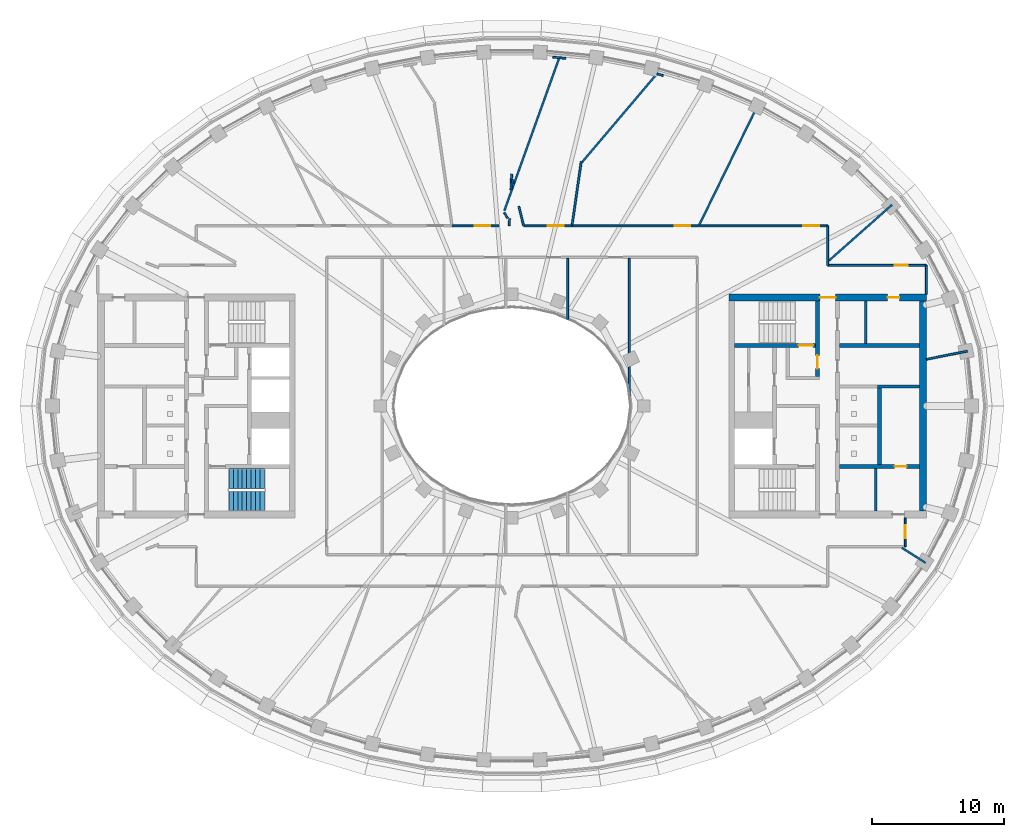
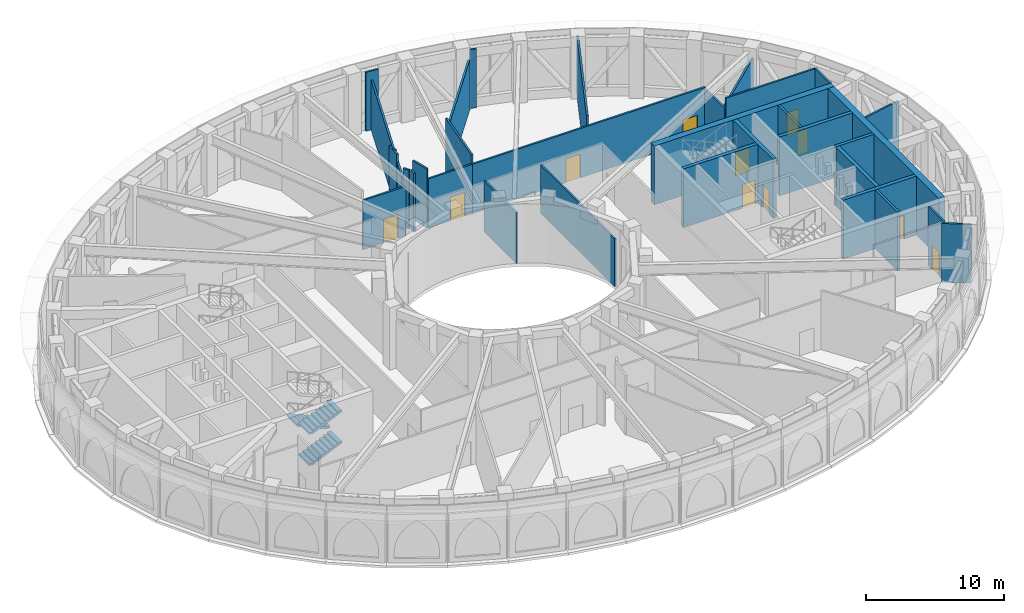
# One storey, part 8 of 23: 33 walls, 11 doors, 3 stair flights, 11 openings, 1 element without a shape of its own.
"""IFC4 building model written with IfcOpenShell, lengths in metres."""

from ifc_helpers import new_model, si_unit, direction, frame, frame_2d, origin, place, context, subcontext, project, spatial, polyline, rectangle, outline, extrude, material, layer, layer_set, type_object, element, fill, aggregate, save


model = new_model("IFC4")

# Units and contexts
model_context = context("Model", 3, precision=1e-05, world=origin(), true_north=direction((0.0, 1.0)))
body_context = subcontext(model_context, "Body", "Model", "MODEL_VIEW")
ifc_project = project(units=[si_unit("LENGTHUNIT", "METRE"), si_unit("AREAUNIT", "SQUARE_METRE"), si_unit("VOLUMEUNIT", "CUBIC_METRE"), si_unit("PLANEANGLEUNIT", "RADIAN"), si_unit("MASSUNIT", "GRAM", prefix="KILO")], contexts=[model_context])

# Site, building, storey
site_placement = place(None, origin())
site = spatial("IfcSite", under=ifc_project, at=site_placement, CompositionType="ELEMENT")
building_placement = place(site_placement, origin())
building = spatial("IfcBuilding", under=site, at=building_placement, Name="Noorbagh Ring Tower", CompositionType="ELEMENT")
storey_placement = place(building_placement, frame((0.0, 0.0, 285.5)))
storey = spatial("IfcBuildingStorey", under=building, at=storey_placement, Name="L61", CompositionType="ELEMENT", Elevation=285.5)

# Wall, opening, door
ifc_material_1 = material(Name="Gypsum board on steel studs", Category="steel")
ifc_layer_1 = layer(ifc_material_1, 0.14990234375)
ifc_layer_set_1 = layer_set([ifc_layer_1], Name="Gypsum board on steel studs")
wall_type_1 = type_object("IfcWallType", Name="COMPARTMENT PARTITION 150 EI 60", PredefinedType="PARTITIONING", material=ifc_layer_set_1)
wall_1_placement = place(storey_placement, frame((-4.56005859375, 13.699951171875, 0.0), z_axis=(0.0, 0.0, 1.0), x_axis=(1.0, 0.0, 0.0)))
wall_1 = element("IfcWall", 1, at=wall_1_placement, inside=storey, type_object=wall_type_1, Name="L61/wall/P25", PredefinedType="PARTITIONING", context=body_context, shape_type="SweptSolid", body=[
    extrude(rectangle(XDim=3.566162109375, YDim=0.14990234375, at=frame_2d((1.783203125, 0.0))), origin(), (0.0, 0.0, 1.0), 4.35009765625),
])
opening_1_placement = place(wall_1_placement, frame((1.716064453125, 0.0, 0.0)))
opening_1 = element("IfcOpeningElement", 2, at=opening_1_placement, cuts=wall_1, Name="Opening D7", PredefinedType="OPENING", context=body_context, shape_type="SweptSolid", body=[
    extrude(rectangle(XDim=1.199951171875, YDim=2.10009765625, at=frame_2d((0.60009765625, 1.050048828125))), frame((0.0, 0.0849609375, 0.0), z_axis=(0.0, -1.0, 0.0), x_axis=(1.0, 0.0, 0.0)), (0.0, 0.0, 1.0), 0.169921875),
])
ifc_material_2 = material(Name="Timber, painted", Category="wood")
door_type_1 = type_object("IfcDoorType", Name="DOOR 1200 X 2100 FD60", OperationType="SINGLE_SWING_LEFT", PredefinedType="DOOR", material=ifc_material_2)
door_1_placement = place(opening_1_placement, origin())
door_1 = element("IfcDoor", 3, at=door_1_placement, inside=storey, type_object=door_type_1, Name="L61-D09", OperationType="SINGLE_SWING_LEFT", OverallHeight=2.10009765625, OverallWidth=1.199951171875, PredefinedType="DOOR", context=body_context, shape_type="SweptSolid", body=[
    extrude(rectangle(XDim=1.199951171875, YDim=2.10009765625, at=frame_2d((0.60009765625, 1.050048828125))), frame((0.0, 0.02490234375, 0.0), z_axis=(0.0, -1.0, 0.0), x_axis=(1.0, 0.0, 0.0)), (0.0, 0.0, 1.0), 0.050048828125),
])
fill(opening_1, door_1)

# Walls
wall_2_placement = place(storey_placement, frame((-0.5810546875, 14.847900390625, 0.0), z_axis=(0.0, 0.0, 1.0), x_axis=(0.337959757209, 0.941160561492, 0.0)))
element("IfcWall", 4, at=wall_2_placement, inside=storey, type_object=wall_type_1, Name="L61/wall/P27", PredefinedType="PARTITIONING", context=body_context, shape_type="SweptSolid", body=[
    extrude(rectangle(XDim=12.257568359375, YDim=0.14990234375, at=frame_2d((6.12890625, 0.0))), origin(), (0.0, 0.0, 1.0), 4.39990234375),
])
wall_3_placement = place(storey_placement, frame((-0.208984375, 13.716064453125, 0.0), z_axis=(0.0, 0.0, 1.0), x_axis=(0.045320181561, 0.998972512707, 0.0)))
element("IfcWall", 5, at=wall_3_placement, inside=storey, type_object=wall_type_1, Name="L61/wall/P30", PredefinedType="PARTITIONING", context=body_context, shape_type="SweptSolid", body=[
    extrude(rectangle(XDim=0.50634765625, YDim=0.14990234375, at=frame_2d((0.253173828125, 0.0))), origin(), (0.0, 0.0, 1.0), 5.199951171875),
])
wall_4_placement = place(storey_placement, frame((-0.0810546875, 16.427001953125, 0.0), z_axis=(0.0, 0.0, 1.0), x_axis=(0.047967320325, 0.998848905581, 0.0)))
element("IfcWall", 6, at=wall_4_placement, inside=storey, type_object=wall_type_1, Name="L61/wall/P31", PredefinedType="PARTITIONING", context=body_context, shape_type="SweptSolid", body=[
    extrude(rectangle(XDim=1.21142578125, YDim=0.14990234375, at=frame_2d((0.605712890625, 0.0))), origin(), (0.0, 0.0, 1.0), 5.199951171875),
])
wall_5_placement = place(storey_placement, frame((0.01904296875, 17.215087890625, 0.0), z_axis=(0.0, 0.0, 1.0), x_axis=(0.242734623519, -0.970092728838, 0.0)))
element("IfcWall", 7, at=wall_5_placement, inside=storey, type_object=wall_type_1, Name="L61/wall/P32", PredefinedType="PARTITIONING", context=body_context, shape_type="SweptSolid", body=[
    extrude(rectangle(XDim=0.28857421875, YDim=0.14990234375, at=frame_2d((0.144287109375, 0.0))), origin(), (0.0, 0.0, 1.0), 5.199951171875),
])
wall_6_placement = place(storey_placement, frame((0.52490234375, 15.1689453125, 0.0), z_axis=(0.0, 0.0, 1.0), x_axis=(0.239695194895, -0.970848192842, 0.0)))
element("IfcWall", 8, at=wall_6_placement, inside=storey, type_object=wall_type_1, Name="L61/wall/P36", PredefinedType="PARTITIONING", context=body_context, shape_type="SweptSolid", body=[
    extrude(rectangle(XDim=1.476806640625, YDim=0.14990234375, at=frame_2d((0.73828125, 0.0))), origin(), (0.0, 0.0, 1.0), 5.199951171875),
])

# Wall, opening, door
wall_7_placement = place(storey_placement, frame((0.887939453125, 13.699951171875, 0.0), z_axis=(0.0, 0.0, 1.0), x_axis=(1.0, 0.0, 0.0)))
wall_7 = element("IfcWall", 9, at=wall_7_placement, inside=storey, type_object=wall_type_1, Name="L61/wall/P38", PredefinedType="PARTITIONING", context=body_context, shape_type="SweptSolid", body=[
    extrude(rectangle(XDim=3.672119140625, YDim=0.14990234375, at=frame_2d((1.8359375, 0.0))), origin(), (0.0, 0.0, 1.0), 4.35009765625),
])
opening_2_placement = place(wall_7_placement, frame((1.842041015625, 0.0, 0.0)))
opening_2 = element("IfcOpeningElement", 10, at=opening_2_placement, cuts=wall_7, Name="Opening D7", PredefinedType="OPENING", context=body_context, shape_type="SweptSolid", body=[
    extrude(rectangle(XDim=1.199951171875, YDim=2.10009765625, at=frame_2d((0.60009765625, 1.050048828125))), frame((0.0, 0.0849609375, 0.0), z_axis=(0.0, -1.0, 0.0), x_axis=(1.0, 0.0, 0.0)), (0.0, 0.0, 1.0), 0.169921875),
])
door_2_placement = place(opening_2_placement, origin())
door_2 = element("IfcDoor", 11, at=door_2_placement, inside=storey, type_object=door_type_1, Name="L61-D11", OperationType="SINGLE_SWING_LEFT", OverallHeight=2.10009765625, OverallWidth=1.199951171875, PredefinedType="DOOR", context=body_context, shape_type="SweptSolid", body=[
    extrude(rectangle(XDim=1.199951171875, YDim=2.10009765625, at=frame_2d((0.60009765625, 1.050048828125))), frame((0.0, 0.02490234375, 0.0), z_axis=(0.0, -1.0, 0.0), x_axis=(1.0, 0.0, 0.0)), (0.0, 0.0, 1.0), 0.050048828125),
])
fill(opening_2, door_2)

# Walls
wall_8_placement = place(storey_placement, frame((4.22998046875, 6.592041015625, 0.0), z_axis=(0.0, 0.0, 1.0), x_axis=(0.0, 1.0, 0.0)))
element("IfcWall", 12, at=wall_8_placement, inside=storey, type_object=wall_type_1, Name="L61/wall/P41", PredefinedType="PARTITIONING", context=body_context, shape_type="SweptSolid", body=[
    extrude(rectangle(XDim=4.633056640625, YDim=0.14990234375, at=frame_2d((2.31640625, 0.0))), origin(), (0.0, 0.0, 1.0), 4.5),
])
wall_9_placement = place(storey_placement, frame((4.56005859375, 13.699951171875, 0.0), z_axis=(0.0, 0.0, 1.0), x_axis=(0.142946212099, 0.989730458482, 0.0)))
element("IfcWall", 13, at=wall_9_placement, inside=storey, type_object=wall_type_1, Name="L61/wall/P42", PredefinedType="PARTITIONING", context=body_context, shape_type="SweptSolid", body=[
    extrude(rectangle(XDim=4.9306640625, YDim=0.14990234375, at=frame_2d((2.46533203125, 0.0))), origin(), (0.0, 0.0, 1.0), 5.199951171875),
])

# Wall, openings, doors
wall_10_placement = place(storey_placement, frame((4.580078125, 13.699951171875, 0.0), z_axis=(0.0, 0.0, 1.0), x_axis=(1.0, 0.0, 0.0)))
wall_10 = element("IfcWall", 14, at=wall_10_placement, inside=storey, type_object=wall_type_1, Name="L61/wall/P43", PredefinedType="PARTITIONING", context=body_context, shape_type="SweptSolid", body=[
    extrude(rectangle(XDim=19.419921875, YDim=0.14990234375, at=frame_2d((9.7099609375, 0.0))), origin(), (0.0, 0.0, 1.0), 4.35009765625),
])
opening_3_placement = place(wall_10_placement, frame((7.782958984375, 0.0, 0.0)))
opening_3 = element("IfcOpeningElement", 15, at=opening_3_placement, cuts=wall_10, Name="Opening D7", PredefinedType="OPENING", context=body_context, shape_type="SweptSolid", body=[
    extrude(rectangle(XDim=1.199951171875, YDim=2.10009765625, at=frame_2d((0.60009765625, 1.050048828125))), frame((0.0, 0.0849609375, 0.0), z_axis=(0.0, -1.0, 0.0), x_axis=(1.0, 0.0, 0.0)), (0.0, 0.0, 1.0), 0.169921875),
])
opening_4_placement = place(wall_10_placement, frame((17.570068359375, 0.0, 0.0)))
opening_4 = element("IfcOpeningElement", 16, at=opening_4_placement, cuts=wall_10, Name="Opening D7", PredefinedType="OPENING", context=body_context, shape_type="SweptSolid", body=[
    extrude(rectangle(XDim=1.199951171875, YDim=2.10009765625, at=frame_2d((0.60009765625, 1.050048828125))), frame((0.0, 0.0849609375, 0.0), z_axis=(0.0, -1.0, 0.0), x_axis=(1.0, 0.0, 0.0)), (0.0, 0.0, 1.0), 0.169921875),
])
door_3_placement = place(opening_3_placement, origin())
door_3 = element("IfcDoor", 17, at=door_3_placement, inside=storey, type_object=door_type_1, Name="L61-D13", OperationType="SINGLE_SWING_LEFT", OverallHeight=2.10009765625, OverallWidth=1.199951171875, PredefinedType="DOOR", context=body_context, shape_type="SweptSolid", body=[
    extrude(rectangle(XDim=1.199951171875, YDim=2.10009765625, at=frame_2d((0.60009765625, 1.050048828125))), frame((0.0, 0.02490234375, 0.0), z_axis=(0.0, -1.0, 0.0), x_axis=(1.0, 0.0, 0.0)), (0.0, 0.0, 1.0), 0.050048828125),
])
fill(opening_3, door_3)
door_4_placement = place(opening_4_placement, origin())
door_4 = element("IfcDoor", 18, at=door_4_placement, inside=storey, type_object=door_type_1, Name="L61-D15", OperationType="SINGLE_SWING_LEFT", OverallHeight=2.10009765625, OverallWidth=1.199951171875, PredefinedType="DOOR", context=body_context, shape_type="SweptSolid", body=[
    extrude(rectangle(XDim=1.199951171875, YDim=2.10009765625, at=frame_2d((0.60009765625, 1.050048828125))), frame((0.0, 0.02490234375, 0.0), z_axis=(0.0, -1.0, 0.0), x_axis=(1.0, 0.0, 0.0)), (0.0, 0.0, 1.0), 0.050048828125),
])
fill(opening_4, door_4)

# Walls
wall_11_placement = place(storey_placement, frame((5.3359375, 18.548095703125, 0.0), z_axis=(0.0, 0.0, 1.0), x_axis=(0.646514481534, 0.762901713962, 0.0)))
element("IfcWall", 19, at=wall_11_placement, inside=storey, type_object=wall_type_1, Name="L61/wall/P44", PredefinedType="PARTITIONING", context=body_context, shape_type="SweptSolid", body=[
    extrude(rectangle(XDim=8.68017578125, YDim=0.14990234375, at=frame_2d((4.340087890625, 0.0))), origin(), (0.0, 0.0, 1.0), 4.39990234375),
])
wall_12_placement = place(storey_placement, frame((8.929931640625, 0.51806640625, 0.0), z_axis=(0.0, 0.0, 1.0), x_axis=(0.0, 1.0, 0.0)))
element("IfcWall", 20, at=wall_12_placement, inside=storey, type_object=wall_type_1, Name="L61/wall/P48", PredefinedType="PARTITIONING", context=body_context, shape_type="SweptSolid", body=[
    extrude(rectangle(XDim=10.70703125, YDim=0.14990234375, at=frame_2d((5.353515625, 0.0))), origin(), (0.0, 0.0, 1.0), 4.25),
])
wall_13_placement = place(storey_placement, frame((14.240966796875, 13.77490234375, 0.0), z_axis=(0.0, 0.0, 1.0), x_axis=(0.439213157978, 0.898382881548, 0.0)))
element("IfcWall", 21, at=wall_13_placement, inside=storey, type_object=wall_type_1, Name="L61/wall/P50", PredefinedType="PARTITIONING", context=body_context, shape_type="SweptSolid", body=[
    extrude(rectangle(XDim=10.12939453125, YDim=0.14990234375, at=frame_2d((5.064697265625, 0.0))), origin(), (0.0, 0.0, 1.0), 5.199951171875),
])
wall_14_placement = place(storey_placement, frame((24.0, 10.699951171875, 0.0), z_axis=(0.0, 0.0, 1.0), x_axis=(0.0, 1.0, 0.0)))
element("IfcWall", 22, at=wall_14_placement, inside=storey, type_object=wall_type_1, Name="L61/wall/P54", PredefinedType="PARTITIONING", context=body_context, shape_type="SweptSolid", body=[
    extrude(rectangle(XDim=3.0, YDim=0.14990234375, at=frame_2d((1.5, 0.0))), origin(), (0.0, 0.0, 1.0), 4.25),
])

# Wall, opening, door
wall_15_placement = place(storey_placement, frame((24.0, 10.699951171875, 0.0), z_axis=(0.0, 0.0, 1.0), x_axis=(1.0, 0.0, 0.0)))
wall_15 = element("IfcWall", 23, at=wall_15_placement, inside=storey, type_object=wall_type_1, Name="L61/wall/P55", PredefinedType="PARTITIONING", context=body_context, shape_type="SweptSolid", body=[
    extrude(rectangle(XDim=7.5, YDim=0.14990234375, at=frame_2d((3.75, 0.0))), origin(), (0.0, 0.0, 1.0), 5.199951171875),
])
opening_5_placement = place(wall_15_placement, frame((5.10009765625, 0.0, 0.0)))
opening_5 = element("IfcOpeningElement", 24, at=opening_5_placement, cuts=wall_15, Name="Opening D6", PredefinedType="OPENING", context=body_context, shape_type="SweptSolid", body=[
    extrude(rectangle(XDim=1.0, YDim=2.10009765625, at=frame_2d((0.5, 1.050048828125))), frame((0.0, 0.0849609375, 0.0), z_axis=(0.0, -1.0, 0.0), x_axis=(1.0, 0.0, 0.0)), (0.0, 0.0, 1.0), 0.169921875),
])
ifc_material_3 = material(Name="Timber, painted", Category="wood")
door_type_2 = type_object("IfcDoorType", Name="DOOR 1000 X 2100 FD60", OperationType="SINGLE_SWING_LEFT", PredefinedType="DOOR", material=ifc_material_3)
door_5_placement = place(opening_5_placement, origin())
door_5 = element("IfcDoor", 25, at=door_5_placement, inside=storey, type_object=door_type_2, Name="L61-D17", OperationType="SINGLE_SWING_LEFT", OverallHeight=2.10009765625, OverallWidth=1.0, PredefinedType="DOOR", context=body_context, shape_type="SweptSolid", body=[
    extrude(rectangle(XDim=1.0, YDim=2.10009765625, at=frame_2d((0.5, 1.050048828125))), frame((0.0, 0.02490234375, 0.0), z_axis=(0.0, -1.0, 0.0), x_axis=(1.0, 0.0, 0.0)), (0.0, 0.0, 1.0), 0.050048828125),
])
fill(opening_5, door_5)

# Walls
wall_16_placement = place(storey_placement, frame((24.074951171875, 11.033935546875, 0.0), z_axis=(0.0, 0.0, 1.0), x_axis=(0.748919053688, 0.662661490524, 0.0)))
element("IfcWall", 26, at=wall_16_placement, inside=storey, type_object=wall_type_1, Name="L61/wall/P56", PredefinedType="PARTITIONING", context=body_context, shape_type="SweptSolid", body=[
    extrude(rectangle(XDim=6.433349609375, YDim=0.14990234375, at=frame_2d((3.216796875, 0.0))), origin(), (0.0, 0.0, 1.0), 4.25),
])
wall_17_placement = place(storey_placement, frame((29.636962890625, -10.777099609375, 0.0), z_axis=(0.0, 0.0, 1.0), x_axis=(0.844747041197, -0.535165802709, 0.0)))
element("IfcWall", 27, at=wall_17_placement, inside=storey, type_object=wall_type_1, Name="L61/wall/P57", PredefinedType="PARTITIONING", context=body_context, shape_type="SweptSolid", body=[
    extrude(rectangle(XDim=2.14501953125, YDim=0.14990234375, at=frame_2d((1.072509765625, 0.0))), origin(), (0.0, 0.0, 1.0), 5.199951171875),
])

# Wall, opening, door
wall_18_placement = place(storey_placement, frame((29.89990234375, -10.699951171875, 0.0), z_axis=(0.0, 0.0, 1.0), x_axis=(0.0, 1.0, 0.0)))
wall_18 = element("IfcWall", 28, at=wall_18_placement, inside=storey, type_object=wall_type_1, Name="L61/wall/P58", PredefinedType="PARTITIONING", context=body_context, shape_type="SweptSolid", body=[
    extrude(rectangle(XDim=2.199951171875, YDim=0.14990234375, at=frame_2d((1.10009765625, 0.0))), origin(), (0.0, 0.0, 1.0), 5.199951171875),
])
opening_6_placement = place(wall_18_placement, frame((0.64990234375, 0.0, 0.0)))
opening_6 = element("IfcOpeningElement", 29, at=opening_6_placement, cuts=wall_18, Name="Opening D6", PredefinedType="OPENING", context=body_context, shape_type="SweptSolid", body=[
    extrude(rectangle(XDim=1.0, YDim=2.10009765625, at=frame_2d((0.5, 1.050048828125))), frame((0.0, 0.0849609375, 0.0), z_axis=(0.0, -1.0, 0.0), x_axis=(1.0, 0.0, 0.0)), (0.0, 0.0, 1.0), 0.169921875),
])
door_6_placement = place(opening_6_placement, origin())
door_6 = element("IfcDoor", 30, at=door_6_placement, inside=storey, type_object=door_type_2, Name="L61-D18", OperationType="SINGLE_SWING_RIGHT", OverallHeight=2.10009765625, OverallWidth=1.0, PredefinedType="DOOR", context=body_context, shape_type="SweptSolid", body=[
    extrude(rectangle(XDim=1.0, YDim=2.10009765625, at=frame_2d((0.5, 1.050048828125))), frame((0.0, 0.02490234375, 0.0), z_axis=(0.0, -1.0, 0.0), x_axis=(1.0, 0.0, 0.0)), (0.0, 0.0, 1.0), 0.050048828125),
])
fill(opening_6, door_6)

# Walls
wall_19_placement = place(storey_placement, frame((31.5, 3.5419921875, 0.0), z_axis=(0.0, 0.0, 1.0), x_axis=(0.98034430806, 0.197294291997, 0.0)))
element("IfcWall", 31, at=wall_19_placement, inside=storey, type_object=wall_type_1, Name="L61/wall/P59", PredefinedType="PARTITIONING", context=body_context, shape_type="SweptSolid", body=[
    extrude(rectangle(XDim=3.187744140625, YDim=0.14990234375, at=frame_2d((1.59375, 0.0))), origin(), (0.0, 0.0, 1.0), 5.199951171875),
])
wall_20_placement = place(storey_placement, frame((31.5, 8.5, 0.0), z_axis=(0.0, 0.0, 1.0), x_axis=(0.0, 1.0, 0.0)))
element("IfcWall", 32, at=wall_20_placement, inside=storey, type_object=wall_type_1, Name="L61/wall/P60", PredefinedType="PARTITIONING", context=body_context, shape_type="SweptSolid", body=[
    extrude(rectangle(XDim=2.199951171875, YDim=0.14990234375, at=frame_2d((1.10009765625, 0.0))), origin(), (0.0, 0.0, 1.0), 5.199951171875),
])
wall_21_placement = place(storey_placement, frame((-0.587890625, 14.697998046875, 0.0), z_axis=(0.0, 0.0, 1.0), x_axis=(0.537099689422, -0.843518774908, 0.0)))
element("IfcWall", 33, at=wall_21_placement, inside=storey, type_object=wall_type_1, Name="L61/wall/P61", PredefinedType="PARTITIONING", context=body_context, shape_type="SweptSolid", body=[
    extrude(rectangle(XDim=0.4931640625, YDim=0.14990234375, at=frame_2d((0.24658203125, 0.0))), origin(), (0.0, 0.0, 1.0), 5.199951171875),
])
wall_22_placement = place(storey_placement, frame((4.093017578125, 26.4306640625, 0.0), z_axis=(0.0, 0.0, 1.0), x_axis=(-0.995481198714, 0.094958849019, 0.0)))
element("IfcWall", 34, at=wall_22_placement, inside=storey, type_object=wall_type_1, Name="L61/wall/P66", PredefinedType="PARTITIONING", context=body_context, shape_type="SweptSolid", body=[
    extrude(rectangle(XDim=1.000244140625, YDim=0.14990234375, at=frame_2d((0.5, 0.0))), origin(), (0.0, 0.0, 1.0), 5.199951171875),
])
wall_23_placement = place(storey_placement, frame((11.5009765625, 25.114013671875, 0.0), z_axis=(0.0, 0.0, 1.0), x_axis=(-0.957586840279, 0.288144830467, 0.0)))
element("IfcWall", 35, at=wall_23_placement, inside=storey, type_object=wall_type_1, Name="L61/wall/P69", PredefinedType="PARTITIONING", context=body_context, shape_type="SweptSolid", body=[
    extrude(rectangle(XDim=0.505859375, YDim=0.14990234375, at=frame_2d((0.2529296875, 0.0))), origin(), (0.0, 0.0, 1.0), 5.199951171875),
])
ifc_material_4 = material(Name="Gypsum board on steel studs", Category="steel")
ifc_layer_2 = layer(ifc_material_4, 0.199951171875)
ifc_layer_set_2 = layer_set([ifc_layer_2], Name="Gypsum board on steel studs")
wall_type_2 = type_object("IfcWallType", Name="CORE-PARTITION-200", PredefinedType="PARTITIONING", material=ifc_layer_set_2)
for number, where, z_axis, x_axis, name in (
    (36, (26.89990234375, 4.75, 0.0), (0.0, 0.0, 1.0), (0.0, 1.0, 0.0), "Core partition E"),
    (37, (27.64990234375, -8.0, 0.0), (0.0, 0.0, 1.0), (0.0, 1.0, 0.0), "Core partition E"),
):
    element("IfcWall", number, at=place(storey_placement, frame(where, z_axis=z_axis, x_axis=x_axis)), inside=storey, type_object=wall_type_2, Name=name, PredefinedType="PARTITIONING", context=body_context, shape_type="SweptSolid", body=[
        extrude(rectangle(XDim=3.25, YDim=0.199951171875, at=frame_2d((1.625, 0.0))), origin(), (0.0, 0.0, 1.0), 5.199951171875),
    ])
ifc_material_5 = material(Name="Concrete C50/60", Category="concrete")
ifc_layer_3 = layer(ifc_material_5, 0.25)
ifc_layer_set_3 = layer_set([ifc_layer_3], Name="Concrete C50/60")
wall_type_3 = type_object("IfcWallType", Name="CORE-WALL-250-C50-60-EI120", PredefinedType="SHEAR", material=ifc_layer_set_3)
wall_24_placement = place(storey_placement, frame((27.800048828125, 1.47509765625, 0.0), z_axis=(0.0, 0.0, 1.0), x_axis=(1.0, 0.0, 0.0)))
element("IfcWall", 38, at=wall_24_placement, inside=storey, type_object=wall_type_3, Name="Core wall E", PredefinedType="SHEAR", context=body_context, shape_type="SweptSolid", body=[
    extrude(rectangle(XDim=3.199951171875, YDim=0.25, at=frame_2d((1.60009765625, 0.0))), origin(), (0.0, 0.0, 1.0), 5.199951171875),
])
ifc_material_6 = material(Name="Concrete C50/60", Category="concrete")
ifc_layer_4 = layer(ifc_material_6, 0.300048828125)
ifc_layer_set_4 = layer_set([ifc_layer_4], Name="Concrete C50/60")
wall_type_4 = type_object("IfcWallType", Name="CORE-WALL-300-C50-60-EI120", PredefinedType="SHEAR", material=ifc_layer_set_4)
wall_25_placement = place(storey_placement, frame((27.949951171875, -4.449951171875, 0.0), z_axis=(0.0, 0.0, 1.0), x_axis=(0.0, 1.0, 0.0)))
element("IfcWall", 39, at=wall_25_placement, inside=storey, type_object=wall_type_4, Name="Core wall E", PredefinedType="SHEAR", context=body_context, shape_type="SweptSolid", body=[
    extrude(rectangle(XDim=5.800048828125, YDim=0.300048828125, at=frame_2d((2.89990234375, 0.0))), origin(), (0.0, 0.0, 1.0), 5.199951171875),
])
ifc_material_7 = material(Name="Concrete C50/60", Category="concrete")
ifc_layer_5 = layer(ifc_material_7, 0.300048828125)
ifc_layer_set_5 = layer_set([ifc_layer_5], Name="Concrete C50/60")
wall_type_5 = type_object("IfcWallType", Name="CORE-WALL-300-C50-60-EI240", PredefinedType="SHEAR", material=ifc_layer_set_5)
wall_26_placement = place(storey_placement, frame((24.89990234375, 4.60009765625, 0.0), z_axis=(0.0, 0.0, 1.0), x_axis=(1.0, 0.0, 0.0)))
element("IfcWall", 40, at=wall_26_placement, inside=storey, type_object=wall_type_5, Name="Core wall E", PredefinedType="SHEAR", context=body_context, shape_type="SweptSolid", body=[
    extrude(rectangle(XDim=6.10009765625, YDim=0.300048828125, at=frame_2d((3.050048828125, 0.0))), origin(), (0.0, 0.0, 1.0), 5.199951171875),
])

# Wall, opening, door
wall_27_placement = place(storey_placement, frame((24.89990234375, -4.60009765625, 0.0), z_axis=(0.0, 0.0, 1.0), x_axis=(1.0, 0.0, 0.0)))
wall_27 = element("IfcWall", 41, at=wall_27_placement, inside=storey, type_object=wall_type_5, Name="Core wall E", PredefinedType="SHEAR", context=body_context, shape_type="SweptSolid", body=[
    extrude(rectangle(XDim=6.10009765625, YDim=0.300048828125, at=frame_2d((3.050048828125, 0.0))), origin(), (0.0, 0.0, 1.0), 5.199951171875),
])
opening_7_placement = place(wall_27_placement, frame((4.199951171875, 0.0, 0.0)))
opening_7 = element("IfcOpeningElement", 42, at=opening_7_placement, cuts=wall_27, Name="Opening L61-CE17", PredefinedType="OPENING", context=body_context, shape_type="SweptSolid", body=[
    extrude(rectangle(XDim=0.89990234375, YDim=2.10009765625, at=frame_2d((0.449951171875, 1.050048828125))), frame((0.0, 0.16015625, 0.0), z_axis=(0.0, -1.0, 0.0), x_axis=(1.0, 0.0, 0.0)), (0.0, 0.0, 1.0), 0.320068359375),
])
ifc_material_8 = material(Name="Steel door leaf", Category="steel")
door_type_3 = type_object("IfcDoorType", Name="CORE-DOOR-DROOM", OperationType="SINGLE_SWING_LEFT", PredefinedType="DOOR", material=ifc_material_8)
door_7_placement = place(opening_7_placement, origin())
door_7 = element("IfcDoor", 43, at=door_7_placement, inside=storey, type_object=door_type_3, Name="Core room door L61-CE17", OperationType="SINGLE_SWING_LEFT", OverallHeight=2.10009765625, OverallWidth=0.89990234375, PredefinedType="DOOR", context=body_context, shape_type="SweptSolid", body=[
    extrude(rectangle(XDim=0.89990234375, YDim=2.10009765625, at=frame_2d((0.449951171875, 1.050048828125))), frame((0.0, 0.02490234375, 0.0), z_axis=(0.0, -1.0, 0.0), x_axis=(1.0, 0.0, 0.0)), (0.0, 0.0, 1.0), 0.050048828125),
])
fill(opening_7, door_7)

wall_28_placement = place(storey_placement, frame((23.22998046875, 2.25, 0.0), z_axis=(0.0, 0.0, 1.0), x_axis=(0.0, 1.0, 0.0)))
wall_28 = element("IfcWall", 44, at=wall_28_placement, inside=storey, type_object=wall_type_5, Name="Core wall E", PredefinedType="SHEAR", context=body_context, shape_type="SweptSolid", body=[
    extrude(rectangle(XDim=5.75, YDim=0.300048828125, at=frame_2d((2.875, 0.0))), origin(), (0.0, 0.0, 1.0), 5.199951171875),
])
opening_8_placement = place(wall_28_placement, frame((0.60009765625, 0.0, 0.0)))
opening_8 = element("IfcOpeningElement", 45, at=opening_8_placement, cuts=wall_28, Name="Opening L61-CE05", PredefinedType="OPENING", context=body_context, shape_type="SweptSolid", body=[
    extrude(rectangle(XDim=1.0, YDim=2.10009765625, at=frame_2d((0.5, 1.050048828125))), frame((0.0, 0.16015625, 0.0), z_axis=(0.0, -1.0, 0.0), x_axis=(1.0, 0.0, 0.0)), (0.0, 0.0, 1.0), 0.320068359375),
])
ifc_material_9 = material(Name="Steel door leaf", Category="steel")
door_type_4 = type_object("IfcDoorType", Name="CORE-DOOR-DVEST", OperationType="SINGLE_SWING_LEFT", PredefinedType="DOOR", material=ifc_material_9)
door_8_placement = place(opening_8_placement, origin())
door_8 = element("IfcDoor", 46, at=door_8_placement, inside=storey, type_object=door_type_4, Name="Stair vestibule door L61-CE05", OperationType="SINGLE_SWING_RIGHT", OverallHeight=2.10009765625, OverallWidth=1.0, PredefinedType="DOOR", context=body_context, shape_type="SweptSolid", body=[
    extrude(rectangle(XDim=1.0, YDim=2.10009765625, at=frame_2d((0.5, 1.050048828125))), frame((0.0, 0.02490234375, 0.0), z_axis=(0.0, -1.0, 0.0), x_axis=(1.0, 0.0, 0.0)), (0.0, 0.0, 1.0), 0.050048828125),
])
fill(opening_8, door_8)

wall_29_placement = place(storey_placement, frame((16.89990234375, 4.60009765625, 0.0), z_axis=(0.0, 0.0, 1.0), x_axis=(1.0, 0.0, 0.0)))
wall_29 = element("IfcWall", 47, at=wall_29_placement, inside=storey, type_object=wall_type_5, Name="Core wall E", PredefinedType="SHEAR", context=body_context, shape_type="SweptSolid", body=[
    extrude(rectangle(XDim=6.18017578125, YDim=0.300048828125, at=frame_2d((3.090087890625, 0.0))), origin(), (0.0, 0.0, 1.0), 5.199951171875),
])
opening_9_placement = place(wall_29_placement, frame((4.89990234375, 0.0, 0.0)))
opening_9 = element("IfcOpeningElement", 48, at=opening_9_placement, cuts=wall_29, Name="Opening L61-CE02", PredefinedType="OPENING", context=body_context, shape_type="SweptSolid", body=[
    extrude(rectangle(XDim=1.10009765625, YDim=2.10009765625, at=frame_2d((0.550048828125, 1.050048828125))), frame((0.0, 0.16015625, 0.0), z_axis=(0.0, -1.0, 0.0), x_axis=(1.0, 0.0, 0.0)), (0.0, 0.0, 1.0), 0.320068359375),
])
ifc_material_10 = material(Name="Steel door leaf", Category="steel")
door_type_5 = type_object("IfcDoorType", Name="CORE-DOOR-DSTAIR", OperationType="SINGLE_SWING_LEFT", PredefinedType="DOOR", material=ifc_material_10)
door_9_placement = place(opening_9_placement, origin())
door_9 = element("IfcDoor", 49, at=door_9_placement, inside=storey, type_object=door_type_5, Name="Stair door ST3 L61-CE02", OperationType="SINGLE_SWING_LEFT", OverallHeight=2.10009765625, OverallWidth=1.10009765625, PredefinedType="DOOR", context=body_context, shape_type="SweptSolid", body=[
    extrude(rectangle(XDim=1.10009765625, YDim=2.10009765625, at=frame_2d((0.550048828125, 1.050048828125))), frame((0.0, 0.02490234375, 0.0), z_axis=(0.0, -1.0, 0.0), x_axis=(1.0, 0.0, 0.0)), (0.0, 0.0, 1.0), 0.050048828125),
])
fill(opening_9, door_9)

# Wall, openings, doors
ifc_material_11 = material(Name="Concrete C50/60", Category="concrete")
ifc_layer_6 = layer(ifc_material_11, 0.5)
ifc_layer_set_6 = layer_set([ifc_layer_6], Name="Concrete C50/60")
wall_type_6 = type_object("IfcWallType", Name="CORE-WALL-500-C50-60-EI240", PredefinedType="SHEAR", material=ifc_layer_set_6)
wall_30_placement = place(storey_placement, frame((16.5, 8.25, 0.0), z_axis=(0.0, 0.0, 1.0), x_axis=(1.0, 0.0, 0.0)))
wall_30 = element("IfcWall", 50, at=wall_30_placement, inside=storey, type_object=wall_type_6, Name="Core wall E", PredefinedType="SHEAR", context=body_context, shape_type="SweptSolid", body=[
    extrude(rectangle(XDim=15.0, YDim=0.5, at=frame_2d((7.5, 0.0))), origin(), (0.0, 0.0, 1.0), 5.199951171875),
])
opening_10_placement = place(wall_30_placement, frame((6.89990234375, 0.0, 0.0)))
opening_10 = element("IfcOpeningElement", 51, at=opening_10_placement, cuts=wall_30, Name="Opening L61-CE06", PredefinedType="OPENING", context=body_context, shape_type="SweptSolid", body=[
    extrude(rectangle(XDim=1.199951171875, YDim=2.10009765625, at=frame_2d((0.60009765625, 1.050048828125))), frame((0.0, 0.260009765625, 0.0), z_axis=(0.0, -1.0, 0.0), x_axis=(1.0, 0.0, 0.0)), (0.0, 0.0, 1.0), 0.52001953125),
])
opening_11_placement = place(wall_30_placement, frame((12.050048828125, 0.0, 0.0)))
opening_11 = element("IfcOpeningElement", 52, at=opening_11_placement, cuts=wall_30, Name="Opening L61-CE14", PredefinedType="OPENING", context=body_context, shape_type="SweptSolid", body=[
    extrude(rectangle(XDim=0.89990234375, YDim=2.10009765625, at=frame_2d((0.449951171875, 1.050048828125))), frame((0.0, 0.260009765625, 0.0), z_axis=(0.0, -1.0, 0.0), x_axis=(1.0, 0.0, 0.0)), (0.0, 0.0, 1.0), 0.52001953125),
])
door_10_placement = place(opening_11_placement, origin())
door_10 = element("IfcDoor", 53, at=door_10_placement, inside=storey, type_object=door_type_3, Name="Core room door L61-CE14", OperationType="SINGLE_SWING_LEFT", OverallHeight=2.10009765625, OverallWidth=0.89990234375, PredefinedType="DOOR", context=body_context, shape_type="SweptSolid", body=[
    extrude(rectangle(XDim=0.89990234375, YDim=2.10009765625, at=frame_2d((0.449951171875, 1.050048828125))), frame((0.0, 0.02490234375, 0.0), z_axis=(0.0, -1.0, 0.0), x_axis=(1.0, 0.0, 0.0)), (0.0, 0.0, 1.0), 0.050048828125),
])
fill(opening_11, door_10)
ifc_material_12 = material(Name="Steel door leaf", Category="steel")
door_type_6 = type_object("IfcDoorType", Name="CORE-DOOR-PORT", OperationType="DOUBLE_DOOR_DOUBLE_SWING", PredefinedType="DOOR", material=ifc_material_12)
door_11_placement = place(opening_10_placement, origin())
door_11 = element("IfcDoor", 54, at=door_11_placement, inside=storey, type_object=door_type_6, Name="Core entrance door L61-CE06", OperationType="DOUBLE_DOOR_DOUBLE_SWING", OverallHeight=2.10009765625, OverallWidth=1.199951171875, PredefinedType="DOOR", context=body_context, shape_type="SweptSolid", body=[
    extrude(rectangle(XDim=1.199951171875, YDim=2.10009765625, at=frame_2d((0.60009765625, 1.050048828125))), frame((0.0, 0.02490234375, 0.0), z_axis=(0.0, -1.0, 0.0), x_axis=(1.0, 0.0, 0.0)), (0.0, 0.0, 1.0), 0.050048828125),
])
fill(opening_10, door_11)

# Wall
wall_31_placement = place(storey_placement, frame((31.25, -8.0, 0.0), z_axis=(0.0, 0.0, 1.0), x_axis=(0.0, 1.0, 0.0)))
element("IfcWall", 55, at=wall_31_placement, inside=storey, type_object=wall_type_6, Name="Core wall E", PredefinedType="SHEAR", context=body_context, shape_type="SweptSolid", body=[
    extrude(rectangle(XDim=16.0, YDim=0.5, at=frame_2d((8.0, 0.0))), origin(), (0.0, 0.0, 1.0), 5.199951171875),
])

# Stair, stair flights
ifc_material_13 = material(Name="Concrete C40/50", Category="concrete")
stair_type = type_object("IfcStairType", Name="CORE-STAIR", PredefinedType="HALF_TURN_STAIR", material=ifc_material_13)
stair_placement = place(storey_placement, origin())
stair = element("IfcStair", 56, at=stair_placement, inside=storey, type_object=stair_type, Name="L61 Exit stair ST2", PredefinedType="HALF_TURN_STAIR")
ifc_material_14 = material(Name="Concrete C40/50", Category="concrete")
stair_flight_type = type_object("IfcStairFlightType", Name="CORE-STAIR-FLIGHT", PredefinedType="STRAIGHT", material=ifc_material_14)
stair_flight_1_placement = place(storey_placement, frame((-21.530029296875, -7.22509765625, 0.0), z_axis=(0.0, 0.0, 1.0), x_axis=(1.0, 0.0, 0.0)))
stair_flight_1 = element("IfcStairFlight", 57, at=stair_flight_1_placement, type_object=stair_flight_type, Name="ST2 flight 1", NumberOfRisers=9, NumberOfTreads=8, PredefinedType="STRAIGHT", RiserHeight=0.152777778, TreadLength=0.34, context=body_context, shape_type="SweptSolid", body=[
    extrude(outline(polyline([(0.0, 0.0), (0.0, 0.15283203125), (0.340087890625, 0.15283203125), (0.340087890625, 0.3056640625), (0.679931640625, 0.3056640625), (0.679931640625, 0.458251953125), (1.02001953125, 0.458251953125), (1.02001953125, 0.611083984375), (1.360107421875, 0.611083984375), (1.360107421875, 0.763916015625), (1.699951171875, 0.763916015625), (1.699951171875, 0.916748046875), (2.0400390625, 0.916748046875), (2.0400390625, 1.0693359375), (2.3798828125, 1.0693359375), (2.3798828125, 1.22216796875), (2.719970703125, 1.22216796875), (2.719970703125, 1.375), (2.719970703125, 1.057861328125), (0.36572265625, 0.0), (0.0, 0.0)])), frame((0.0, 0.77490234375, 0.0), z_axis=(0.0, -1.0, 0.0), x_axis=(1.0, 0.0, 0.0)), (0.0, 0.0, 1.0), 1.550048828125),
])
stair_flight_2_placement = place(storey_placement, frame((-18.81005859375, -5.52490234375, 1.375), z_axis=(0.0, 0.0, 1.0), x_axis=(-1.0, 0.0, 0.0)))
stair_flight_2 = element("IfcStairFlight", 58, at=stair_flight_2_placement, type_object=stair_flight_type, Name="ST2 flight 2", NumberOfRisers=9, NumberOfTreads=8, PredefinedType="STRAIGHT", RiserHeight=0.152777778, TreadLength=0.34, context=body_context, shape_type="SweptSolid", body=[
    extrude(outline(polyline([(0.0, 0.0), (0.0, 0.15283203125), (0.340087890625, 0.15283203125), (0.340087890625, 0.3056640625), (0.679931640625, 0.3056640625), (0.679931640625, 0.458251953125), (1.02001953125, 0.458251953125), (1.02001953125, 0.611083984375), (1.360107421875, 0.611083984375), (1.360107421875, 0.763916015625), (1.699951171875, 0.763916015625), (1.699951171875, 0.916748046875), (2.0400390625, 0.916748046875), (2.0400390625, 1.0693359375), (2.3798828125, 1.0693359375), (2.3798828125, 1.22216796875), (2.719970703125, 1.22216796875), (2.719970703125, 1.375), (2.719970703125, 1.057861328125), (0.36572265625, 0.0), (0.0, 0.0)])), frame((0.0, 0.77490234375, 0.0), z_axis=(0.0, -1.0, 0.0), x_axis=(1.0, 0.0, 0.0)), (0.0, 0.0, 1.0), 1.550048828125),
])
stair_flight_3_placement = place(storey_placement, frame((-21.530029296875, -7.22509765625, 2.75), z_axis=(0.0, 0.0, 1.0), x_axis=(1.0, 0.0, 0.0)))
stair_flight_3 = element("IfcStairFlight", 59, at=stair_flight_3_placement, type_object=stair_flight_type, Name="ST2 flight 3", NumberOfRisers=9, NumberOfTreads=8, PredefinedType="STRAIGHT", RiserHeight=0.152777778, TreadLength=0.34, context=body_context, shape_type="SweptSolid", body=[
    extrude(outline(polyline([(0.0, 0.0), (0.0, 0.15283203125), (0.340087890625, 0.15283203125), (0.340087890625, 0.3056640625), (0.679931640625, 0.3056640625), (0.679931640625, 0.458251953125), (1.02001953125, 0.458251953125), (1.02001953125, 0.611083984375), (1.360107421875, 0.611083984375), (1.360107421875, 0.763916015625), (1.699951171875, 0.763916015625), (1.699951171875, 0.916748046875), (2.0400390625, 0.916748046875), (2.0400390625, 1.0693359375), (2.3798828125, 1.0693359375), (2.3798828125, 1.22216796875), (2.719970703125, 1.22216796875), (2.719970703125, 1.375), (2.719970703125, 1.057861328125), (0.36572265625, 0.0), (0.0, 0.0)])), frame((0.0, 0.77490234375, 0.0), z_axis=(0.0, -1.0, 0.0), x_axis=(1.0, 0.0, 0.0)), (0.0, 0.0, 1.0), 1.550048828125),
])
aggregate(stair, [stair_flight_1, stair_flight_2, stair_flight_3])

save(model, "model.ifc")
